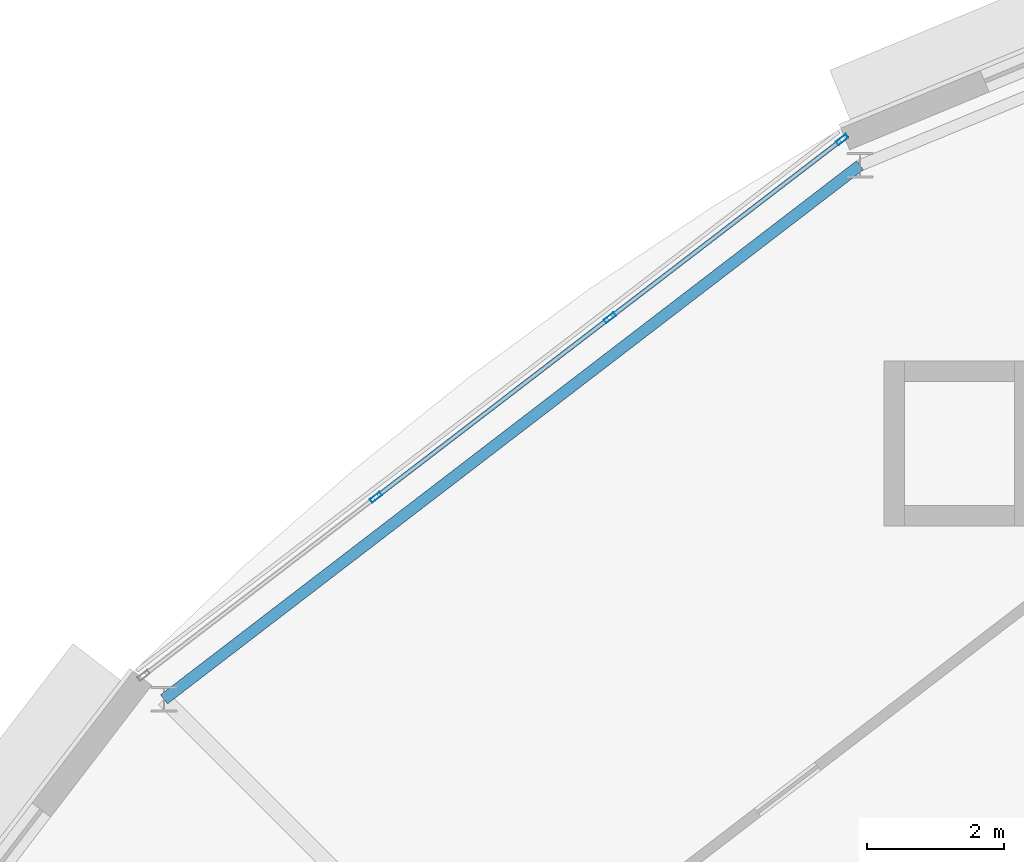
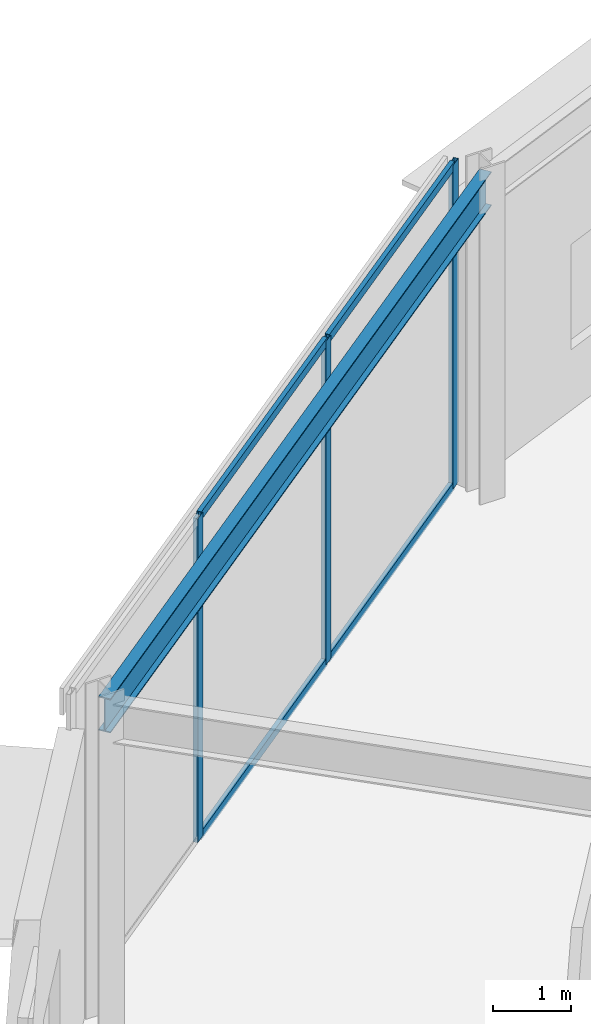
# One storey, part 71 of 168: 7 members, 1 beam, 1 element without a shape of its own.
"""IFC4 building model written with IfcOpenShell, lengths in metres."""

import ifcopenshell
import ifcopenshell.guid

model = None  # the IFC model being written
_history = None  # IfcOwnerHistory: only IFC2X3 demands one
_inside = {}  # id of a spatial element -> (the spatial element, [elements in it])
_under = {}  # id of a project, library or spatial element -> (it, [spatial elements below it])
_declared = {}  # id of a project -> (the project, [libraries it declares])
_typed = {}  # id of a type object -> (the type object, [elements of that type])
_made_of = {}  # id of a material, layer set ... -> (it, [elements and type objects made of it])


def new_model(schema):
    """Start an empty IFC model of exactly this schema.

    Asked for "IFC4X3", IfcOpenShell would pick the latest addendum, in which some entities
    have other attributes; the version numbers below select the first issue.
    IFC2X3 requires an IfcOwnerHistory on every rooted entity: one is made here for all.
    """
    global model, _history
    if schema == "IFC4X3":
        model = ifcopenshell.file(schema_version=(4, 3, 0, 0))
    else:
        model = ifcopenshell.file(schema=schema)
    _inside.clear()
    _under.clear()
    _declared.clear()
    _typed.clear()
    _made_of.clear()
    _history = None
    if model.schema == "IFC2X3":
        org = make("IfcOrganization", Name="unknown")
        user = make(
            "IfcPersonAndOrganization",
            ThePerson=make("IfcPerson", FamilyName="unknown"),
            TheOrganization=org,
        )
        app = make(
            "IfcApplication",
            ApplicationDeveloper=org,
            Version="unknown",
            ApplicationFullName="unknown",
            ApplicationIdentifier="unknown",
        )
        _history = make(
            "IfcOwnerHistory",
            OwningUser=user,
            OwningApplication=app,
            ChangeAction="ADDED",
            CreationDate=0,
        )
    return model


def make(cls, **values):
    """One entity of the class cls with the attributes given. An attribute that is None is left unset."""
    return model.create_entity(
        cls, **{name: value for name, value in values.items() if value is not None}
    )


def rooted(cls, **values):
    """An entity with a GlobalId (a new one), such as an element, a storey or a relation."""
    return make(cls, GlobalId=ifcopenshell.guid.new(), OwnerHistory=_history, **values)


def si_unit(unit_type, name, prefix=None):
    """IfcSIUnit, for example si_unit("LENGTHUNIT", "METRE", prefix="MILLI")."""
    return make("IfcSIUnit", UnitType=unit_type, Prefix=prefix, Name=name)


def assignment(units):
    """IfcUnitAssignment: the units of a project."""
    return None if units is None else make("IfcUnitAssignment", Units=units)


def point(xyz):
    """IfcCartesianPoint."""
    return None if xyz is None else make("IfcCartesianPoint", Coordinates=xyz)


def direction(xyz):
    """IfcDirection."""
    return None if xyz is None else make("IfcDirection", DirectionRatios=xyz)


def frame(location, z_axis=None, x_axis=None):
    """IfcAxis2Placement3D, a coordinate frame: its origin and axes. An axis left out is left unset."""
    return make(
        "IfcAxis2Placement3D",
        Location=point(location),
        Axis=direction(z_axis),
        RefDirection=direction(x_axis),
    )


def frame_2d(location, x_axis=None):
    """IfcAxis2Placement2D, a coordinate frame in the plane: its origin and x axis."""
    return make(
        "IfcAxis2Placement2D", Location=point(location), RefDirection=direction(x_axis)
    )


def origin():
    """The frame at (0, 0, 0) with its axes left unset."""
    return frame((0.0, 0.0, 0.0))


def origin_2d():
    """The frame at (0, 0) in the plane with its x axis left unset."""
    return frame_2d((0.0, 0.0))


def place(relative_to, where):
    """IfcLocalPlacement: puts the frame where relative to a parent placement (None: the world)."""
    return make(
        "IfcLocalPlacement", PlacementRelTo=relative_to, RelativePlacement=where
    )


def context(
    kind, dimensions, precision=None, world=None, true_north=None, identifier=None
):
    """IfcGeometricRepresentationContext, for example the 3D "Model" context."""
    return make(
        "IfcGeometricRepresentationContext",
        ContextIdentifier=identifier,
        ContextType=kind,
        CoordinateSpaceDimension=dimensions,
        Precision=precision,
        WorldCoordinateSystem=world,
        TrueNorth=true_north,
    )


def subcontext(parent, identifier, kind, view, scale=None):
    """IfcGeometricRepresentationSubContext, for example "Body" below "Model"."""
    return make(
        "IfcGeometricRepresentationSubContext",
        ContextIdentifier=identifier,
        ContextType=kind,
        ParentContext=parent,
        TargetScale=scale,
        TargetView=view,
    )


def project(units=None, contexts=None):
    """IfcProject with its units and contexts."""
    return rooted(
        "IfcProject",
        Name="project",
        RepresentationContexts=contexts,
        UnitsInContext=assignment(units),
    )


def spatial(cls, under=None, at=None, **own):
    """A site, building, storey or space (cls), placed at a placement, below another one or the project."""
    s = rooted(cls, ObjectPlacement=at, **own)
    if under is not None:
        _under.setdefault(under.id(), (under, []))[1].append(s)
    return s


def profile(cls, at=None, kind="AREA", **sizes):
    """A parametric profile (cls). Its sizes go by their IFC names, for example OverallWidth=200.0."""
    return make(cls, ProfileType=kind, Position=at, **sizes)


def hollow_rectangle(**sizes):
    """IfcRectangleHollowProfileDef."""
    return profile("IfcRectangleHollowProfileDef", **sizes)


def i_section(**sizes):
    """IfcIShapeProfileDef."""
    return profile("IfcIShapeProfileDef", **sizes)


def extrude(swept, where, along, depth):
    """IfcExtrudedAreaSolid: the profile swept, set in the frame where, extruded along a direction by depth."""
    return make(
        "IfcExtrudedAreaSolid",
        SweptArea=swept,
        Position=where,
        ExtrudedDirection=direction(along),
        Depth=depth,
    )


def shape(context_of_items, identifier, shape_type, items):
    """IfcShapeRepresentation: the items that make up one representation, for example the "Body"."""
    return make(
        "IfcShapeRepresentation",
        ContextOfItems=context_of_items,
        RepresentationIdentifier=identifier,
        RepresentationType=shape_type,
        Items=items,
    )


def material(Name=None, Category=None):
    """IfcMaterial."""
    return make("IfcMaterial", Name=Name, Category=Category)


def material_profile(
    of_material, cross_section, Name=None, Category=None, Priority=None
):
    """IfcMaterialProfile: a cross section and its material."""
    return make(
        "IfcMaterialProfile",
        Name=Name,
        Material=of_material,
        Profile=cross_section,
        Priority=Priority,
        Category=Category,
    )


def profile_set(profiles, Name=None, composite=None):
    """IfcMaterialProfileSet."""
    return make(
        "IfcMaterialProfileSet",
        Name=Name,
        MaterialProfiles=profiles,
        CompositeProfile=composite,
    )


def made_of(thing, what):
    """Note that an element or type object is made of a material, layer set ...; save() writes the relation."""
    if what is not None:
        _made_of.setdefault(what.id(), (what, []))[1].append(thing)
    return thing


def type_object(cls, material=None, **own):
    """A type object (cls), such as IfcWallType, which elements share."""
    return made_of(rooted(cls, **own), material)


def element(
    cls,
    number,
    at=None,
    inside=None,
    cuts=None,
    type_object=None,
    material=None,
    context=None,
    identifier="Body",
    shape_type=None,
    held_by="IfcProductDefinitionShape",
    body=None,
    shapes=None,
    **own,
):
    """One element of the class cls, such as IfcWall. Its Tag is "e" and its number.

    at: its placement. inside: the storey or other place that contains it. cuts: it is an
    opening in that element (IfcRelVoidsElement). A single representation is given by context,
    identifier, shape_type and body (its items); several are given by shapes. held_by: the class
    of the entity that holds the representations. save() writes the other relations.
    """
    e = rooted(cls, Tag="e%d" % number, ObjectPlacement=at, **own)
    if body is not None:
        shapes = [shape(context, identifier, shape_type, body)]
    if shapes is not None:
        e.Representation = make(held_by, Representations=shapes)
    if inside is not None:
        _inside.setdefault(inside.id(), (inside, []))[1].append(e)
    if cuts is not None:
        rooted(
            "IfcRelVoidsElement", RelatingBuildingElement=cuts, RelatedOpeningElement=e
        )
    if type_object is not None:
        _typed.setdefault(type_object.id(), (type_object, []))[1].append(e)
    return made_of(e, material)


def aggregate(whole, parts):
    """IfcRelAggregates: a whole, such as a stair, and the parts it consists of."""
    return rooted("IfcRelAggregates", RelatingObject=whole, RelatedObjects=parts)


def save(model, path):
    """Write the relations noted so far, then the file.

    IfcRelAggregates (storeys below a building ...), IfcRelContainedInSpatialStructure (elements
    in a storey), IfcRelDefinesByType, IfcRelAssociatesMaterial and IfcRelDeclares: one each for
    every whole, place, type object, material and project.
    """
    for whole, parts in _under.values():
        aggregate(whole, parts)
    for where, things in _inside.values():
        rooted(
            "IfcRelContainedInSpatialStructure",
            RelatedElements=things,
            RelatingStructure=where,
        )
    for kind, things in _typed.values():
        rooted("IfcRelDefinesByType", RelatedObjects=things, RelatingType=kind)
    for what, things in _made_of.values():
        rooted("IfcRelAssociatesMaterial", RelatedObjects=things, RelatingMaterial=what)
    for by, libraries in _declared.values():
        rooted("IfcRelDeclares", RelatingContext=by, RelatedDefinitions=libraries)
    model.write(path)


model = new_model("IFC4")

# Units and contexts
model_context = context("Model", 3, precision=1e-05, world=origin(), true_north=direction((0.0, 1.0)))
body_context = subcontext(model_context, "Body", "Model", "MODEL_VIEW")
ifc_project = project(units=[si_unit("LENGTHUNIT", "METRE"), si_unit("AREAUNIT", "SQUARE_METRE"), si_unit("VOLUMEUNIT", "CUBIC_METRE"), si_unit("PLANEANGLEUNIT", "RADIAN"), si_unit("MASSUNIT", "GRAM", prefix="KILO")], contexts=[model_context])

# Site, building, storey
site_placement = place(None, origin())
site = spatial("IfcSite", under=ifc_project, at=site_placement, CompositionType="ELEMENT")
building_placement = place(site_placement, origin())
building = spatial("IfcBuilding", under=site, at=building_placement, Name="Almandine Court Research Institute", CompositionType="ELEMENT")
storey_placement = place(building_placement, origin())
storey = spatial("IfcBuildingStorey", under=building, at=storey_placement, Name="L00", CompositionType="ELEMENT", Elevation=0.0)

# Beam
ifc_material_1 = material(Name="Steel ASTM A992 Grade 50", Category="steel")
ifc_material_profile_1 = material_profile(ifc_material_1, i_section(OverallWidth=0.166015625, OverallDepth=0.534912109375, WebThickness=0.010009765625, FlangeThickness=0.01708984375, at=origin_2d()), Name="W530x85")
ifc_profile_set_1 = profile_set([ifc_material_profile_1], Name="Steel ASTM A992 Grade 50")
beam_type = type_object("IfcBeamType", Name="Beam-G-05-E", PredefinedType="SPANDREL", material=ifc_profile_set_1)
beam_placement = place(storey_placement, frame((62.550048828125, 98.34912109375, 4.802978515625), z_axis=(-0.793360662587, -0.608751886289, 0.0), x_axis=(0.608751886289, -0.793360662587, 0.0)))
element("IfcBeam", 1, at=beam_placement, inside=storey, type_object=beam_type, Name="L00 Drum OUT Ring Beam 08", PredefinedType="SPANDREL", context=body_context, shape_type="SweptSolid", body=[
    extrude(i_section(OverallWidth=0.166015625, OverallDepth=0.534912109375, WebThickness=0.010009765625, FlangeThickness=0.01708984375, at=origin_2d()), origin(), (0.0, 0.0, 1.0), 12.765869140625),
])

# Curtain wall, members
ifc_material_2 = material(Name="Unitised Curtain Wall Framing and Solar Glazing", Category="glass")
curtain_wall_type = type_object("IfcCurtainWallType", Name="CW-CWJ-17", PredefinedType="USERDEFINED", material=ifc_material_2)
curtain_wall_placement = place(storey_placement, origin())
curtain_wall = element("IfcCurtainWall", 2, at=curtain_wall_placement, inside=storey, type_object=curtain_wall_type, Name="L00 Stacked-Ring Drum Outer Solar Jali Screen 08", ObjectType="SOLAR JALI SCREEN", PredefinedType="USERDEFINED")
ifc_material_3 = material(Name="Anodised Aluminium AW-6063-T6", Category="aluminium")
ifc_material_profile_2 = material_profile(ifc_material_3, hollow_rectangle(XDim=0.06494140625, YDim=0.179931640625, WallThickness=0.00390625, at=origin_2d()), Name="ALU RHS 65x180x4")
ifc_profile_set_2 = profile_set([ifc_material_profile_2], Name="Anodised Aluminium AW-6063-T6")
member_type_1 = type_object("IfcMemberType", Name="CWMul-65x180", PredefinedType="MULLION", material=ifc_profile_set_2)
member_1_placement = place(storey_placement, frame((55.505615234375, 93.51904296875, 0.0), z_axis=(0.0, 0.0, 1.0), x_axis=(-0.608723313303, 0.793382586046, 0.0)))
member_1 = element("IfcMember", 3, at=member_1_placement, type_object=member_type_1, Name="CWJ-17 mullion 2", PredefinedType="MULLION", context=body_context, shape_type="SweptSolid", body=[
    extrude(hollow_rectangle(XDim=0.06494140625, YDim=0.179931640625, WallThickness=0.00390625, at=origin_2d()), origin(), (0.0, 0.0, 1.0), 5.070068359375),
])
member_2_placement = place(storey_placement, frame((58.911376953125, 96.132080078125, 0.0), z_axis=(0.0, 0.0, 1.0), x_axis=(-0.608723313303, 0.793382586046, 0.0)))
member_2 = element("IfcMember", 4, at=member_2_placement, type_object=member_type_1, Name="CWJ-17 mullion 3", PredefinedType="MULLION", context=body_context, shape_type="SweptSolid", body=[
    extrude(hollow_rectangle(XDim=0.06494140625, YDim=0.179931640625, WallThickness=0.00390625, at=origin_2d()), origin(), (0.0, 0.0, 1.0), 5.070068359375),
])
member_3_placement = place(storey_placement, frame((62.291259765625, 98.72509765625, 0.0), z_axis=(0.0, 0.0, 1.0), x_axis=(-0.608723313303, 0.793382586046, 0.0)))
member_3 = element("IfcMember", 5, at=member_3_placement, type_object=member_type_1, Name="CWJ-17 mullion 4", PredefinedType="MULLION", context=body_context, shape_type="SweptSolid", body=[
    extrude(hollow_rectangle(XDim=0.06494140625, YDim=0.179931640625, WallThickness=0.00390625, at=origin_2d()), origin(), (0.0, 0.0, 1.0), 5.070068359375),
])
ifc_material_profile_3 = material_profile(ifc_material_3, hollow_rectangle(XDim=0.06494140625, YDim=0.1298828125, WallThickness=0.00390625, at=origin_2d()), Name="ALU RHS 65x130x4")
ifc_profile_set_3 = profile_set([ifc_material_profile_3], Name="Anodised Aluminium AW-6063-T6")
member_type_2 = type_object("IfcMemberType", Name="CWTrn-65x130", PredefinedType="NOTDEFINED", material=ifc_profile_set_3)
member_4_placement = place(storey_placement, frame((55.531494140625, 93.538818359375, 0.032470703125), z_axis=(0.793368349931, 0.608741867566, 0.0), x_axis=(-0.608741867566, 0.793368349931, 0.0)))
member_4 = element("IfcMember", 6, at=member_4_placement, type_object=member_type_2, Name="CWJ-17 transom 2.1", ObjectType="TRANSOM", PredefinedType="USERDEFINED", context=body_context, shape_type="SweptSolid", body=[
    extrude(hollow_rectangle(XDim=0.06494140625, YDim=0.1298828125, WallThickness=0.00390625, at=origin_2d()), origin(), (0.0, 0.0, 1.0), 4.2275390625),
])
member_5_placement = place(storey_placement, frame((55.531494140625, 93.538818359375, 5.03759765625), z_axis=(0.793368349931, 0.608741867566, 0.0), x_axis=(-0.608741867566, 0.793368349931, 0.0)))
member_5 = element("IfcMember", 7, at=member_5_placement, type_object=member_type_2, Name="CWJ-17 transom 2.2", ObjectType="TRANSOM", PredefinedType="USERDEFINED", context=body_context, shape_type="SweptSolid", body=[
    extrude(hollow_rectangle(XDim=0.06494140625, YDim=0.1298828125, WallThickness=0.00390625, at=origin_2d()), origin(), (0.0, 0.0, 1.0), 4.2275390625),
])
member_6_placement = place(storey_placement, frame((58.93701171875, 96.15185546875, 0.032470703125), z_axis=(0.793408675449, 0.608689308041, 0.0), x_axis=(-0.608689308041, 0.793408675449, 0.0)))
member_6 = element("IfcMember", 8, at=member_6_placement, type_object=member_type_2, Name="CWJ-17 transom 3.1", ObjectType="TRANSOM", PredefinedType="USERDEFINED", context=body_context, shape_type="SweptSolid", body=[
    extrude(hollow_rectangle(XDim=0.06494140625, YDim=0.1298828125, WallThickness=0.00390625, at=origin_2d()), origin(), (0.0, 0.0, 1.0), 4.195068359375),
])
member_7_placement = place(storey_placement, frame((58.93701171875, 96.15185546875, 5.03759765625), z_axis=(0.793408675449, 0.608689308041, 0.0), x_axis=(-0.608689308041, 0.793408675449, 0.0)))
member_7 = element("IfcMember", 9, at=member_7_placement, type_object=member_type_2, Name="CWJ-17 transom 3.2", ObjectType="TRANSOM", PredefinedType="USERDEFINED", context=body_context, shape_type="SweptSolid", body=[
    extrude(hollow_rectangle(XDim=0.06494140625, YDim=0.1298828125, WallThickness=0.00390625, at=origin_2d()), origin(), (0.0, 0.0, 1.0), 4.195068359375),
])
aggregate(curtain_wall, [member_1, member_2, member_3, member_4, member_5, member_6, member_7])

save(model, "model.ifc")
